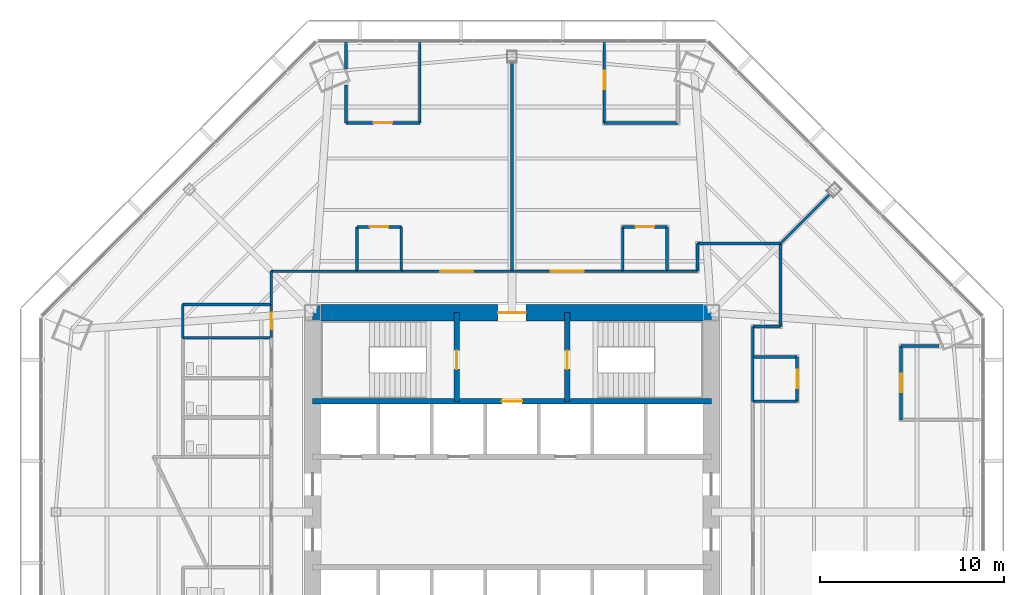
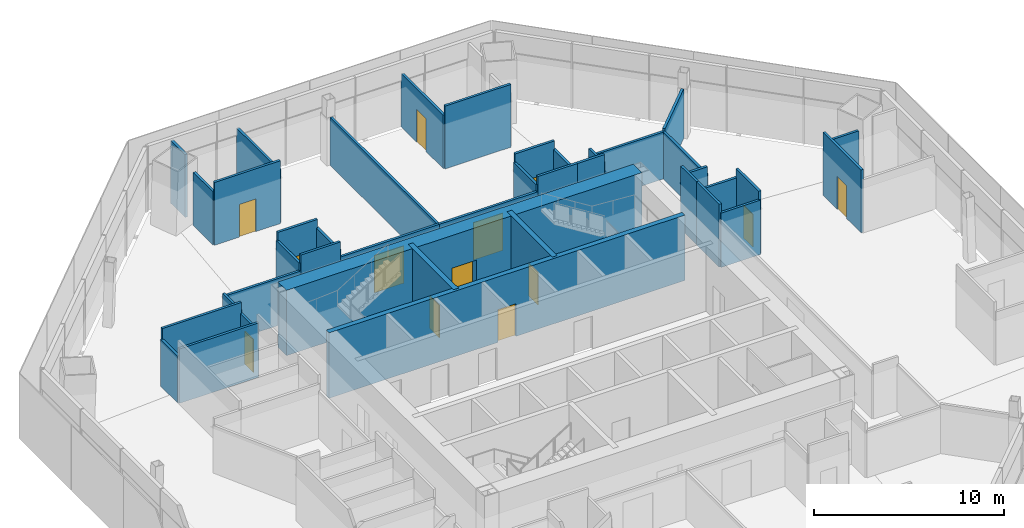
# One storey, part 12 of 17: 40 walls, 13 doors, 13 openings.
"""IFC4 building model written with IfcOpenShell, lengths in metres."""

from ifc_helpers import new_model, si_unit, direction, frame, frame_2d, origin, place, context, subcontext, project, spatial, rectangle, extrude, material, layer, layer_set, type_object, element, fill, save


model = new_model("IFC4")

# Units and contexts
model_context = context("Model", 3, precision=1e-05, world=origin(), true_north=direction((0.0, 1.0)))
body_context = subcontext(model_context, "Body", "Model", "MODEL_VIEW")
ifc_project = project(units=[si_unit("LENGTHUNIT", "METRE"), si_unit("AREAUNIT", "SQUARE_METRE"), si_unit("VOLUMEUNIT", "CUBIC_METRE"), si_unit("PLANEANGLEUNIT", "RADIAN"), si_unit("MASSUNIT", "GRAM", prefix="KILO")], contexts=[model_context])

# Site, building, storey
site_placement = place(None, origin())
site = spatial("IfcSite", under=ifc_project, at=site_placement, CompositionType="ELEMENT")
building_placement = place(site_placement, origin())
building = spatial("IfcBuilding", under=site, at=building_placement, Name="Mashrafa Tower", CompositionType="ELEMENT")
storey_placement = place(building_placement, frame((0.0, 0.0, 87.60009765625)))
storey = spatial("IfcBuildingStorey", under=building, at=storey_placement, Name="L19", CompositionType="ELEMENT", Elevation=87.60009765625)

# Wall, opening, door
ifc_material_1 = material(Name="Concrete C60/75", Category="concrete")
ifc_layer_1 = layer(ifc_material_1, 0.300048828125)
ifc_layer_set_1 = layer_set([ifc_layer_1], Name="Core wall 300 C60/75")
wall_type_1 = type_object("IfcWallType", Name="Core wall 300 C60/75", PredefinedType="SOLIDWALL", material=ifc_layer_set_1)
wall_1_placement = place(storey_placement, frame((-10.800048828125, 6.0, 0.0), z_axis=(0.0, 0.0, 1.0), x_axis=(1.0, 0.0, 0.0)))
wall_1 = element("IfcWall", 1, at=wall_1_placement, inside=storey, type_object=wall_type_1, Name="Core wall CB-N L19", PredefinedType="SOLIDWALL", context=body_context, shape_type="SweptSolid", body=[
    extrude(rectangle(XDim=21.60009765625, YDim=0.300048828125, at=frame_2d((10.800048828125, 0.0))), origin(), (0.0, 0.0, 1.0), 4.199951171875),
])
opening_1_placement = place(wall_1_placement, frame((10.25, 0.0, 0.0)))
opening_1 = element("IfcOpeningElement", 2, at=opening_1_placement, cuts=wall_1, Name="Opening 19.F1", PredefinedType="OPENING", context=body_context, shape_type="SweptSolid", body=[
    extrude(rectangle(XDim=1.10009765625, YDim=2.10009765625, at=frame_2d((0.550048828125, 1.050048828125))), frame((0.0, 0.159912109375, 0.0), z_axis=(0.0, -1.0, 0.0), x_axis=(1.0, 0.0, 0.0)), (0.0, 0.0, 1.0), 0.320068359375),
])
ifc_material_2 = material(Name="Steel door", Category="steel")
door_type_1 = type_object("IfcDoorType", Name="Lift landing door 1100 x 2100 90 min", OperationType="DOUBLE_DOOR_SLIDING", PredefinedType="DOOR", material=ifc_material_2)
door_1_placement = place(opening_1_placement, origin())
door_1 = element("IfcDoor", 3, at=door_1_placement, inside=storey, type_object=door_type_1, Name="Lift landing door F1 L19", OperationType="DOUBLE_DOOR_SLIDING", OverallHeight=2.10009765625, OverallWidth=1.10009765625, PredefinedType="DOOR", context=body_context, shape_type="SweptSolid", body=[
    extrude(rectangle(XDim=1.10009765625, YDim=2.10009765625, at=frame_2d((0.550048828125, 1.050048828125))), frame((0.0, 0.02490234375, 0.0), z_axis=(0.0, -1.0, 0.0), x_axis=(1.0, 0.0, 0.0)), (0.0, 0.0, 1.0), 0.050048828125),
])
fill(opening_1, door_1)

wall_2_placement = place(storey_placement, frame((-3.0, 6.0, 0.0), z_axis=(0.0, 0.0, 1.0), x_axis=(0.0, 1.0, 0.0)))
wall_2 = element("IfcWall", 4, at=wall_2_placement, inside=storey, type_object=wall_type_1, Name="Core wall CX-NW L19", PredefinedType="SOLIDWALL", context=body_context, shape_type="SweptSolid", body=[
    extrude(rectangle(XDim=4.800048828125, YDim=0.300048828125, at=frame_2d((2.39990234375, 0.0))), origin(), (0.0, 0.0, 1.0), 4.199951171875),
])
opening_2_placement = place(wall_2_placement, frame((1.75, 0.0, 0.0)))
opening_2 = element("IfcOpeningElement", 5, at=opening_2_placement, cuts=wall_2, Name="Opening 19.032", PredefinedType="OPENING", context=body_context, shape_type="SweptSolid", body=[
    extrude(rectangle(XDim=1.0, YDim=2.10009765625, at=frame_2d((0.5, 1.050048828125))), frame((0.0, 0.159912109375, 0.0), z_axis=(0.0, -1.0, 0.0), x_axis=(1.0, 0.0, 0.0)), (0.0, 0.0, 1.0), 0.320068359375),
])
ifc_material_3 = material(Name="Steel door", Category="steel")
door_type_2 = type_object("IfcDoorType", Name="Stair door 1000 x 2100 90 min", OperationType="USERDEFINED", PredefinedType="DOOR", material=ifc_material_3)
door_2_placement = place(opening_2_placement, origin())
door_2 = element("IfcDoor", 6, at=door_2_placement, inside=storey, type_object=door_type_2, Name="Stair S1 door L19", OperationType="SINGLE_SWING_LEFT", OverallHeight=2.10009765625, OverallWidth=1.0, PredefinedType="DOOR", context=body_context, shape_type="SweptSolid", body=[
    extrude(rectangle(XDim=1.0, YDim=2.10009765625, at=frame_2d((0.5, 1.050048828125))), frame((0.0, 0.02490234375, 0.0), z_axis=(0.0, -1.0, 0.0), x_axis=(1.0, 0.0, 0.0)), (0.0, 0.0, 1.0), 0.050048828125),
])
fill(opening_2, door_2)

wall_3_placement = place(storey_placement, frame((3.0, 6.0, 0.0), z_axis=(0.0, 0.0, 1.0), x_axis=(0.0, 1.0, 0.0)))
wall_3 = element("IfcWall", 7, at=wall_3_placement, inside=storey, type_object=wall_type_1, Name="Core wall CX-NE L19", PredefinedType="SOLIDWALL", context=body_context, shape_type="SweptSolid", body=[
    extrude(rectangle(XDim=4.800048828125, YDim=0.300048828125, at=frame_2d((2.39990234375, 0.0))), origin(), (0.0, 0.0, 1.0), 4.199951171875),
])
opening_3_placement = place(wall_3_placement, frame((1.75, 0.0, 0.0)))
opening_3 = element("IfcOpeningElement", 8, at=opening_3_placement, cuts=wall_3, Name="Opening 19.033", PredefinedType="OPENING", context=body_context, shape_type="SweptSolid", body=[
    extrude(rectangle(XDim=1.0, YDim=2.10009765625, at=frame_2d((0.5, 1.050048828125))), frame((0.0, 0.159912109375, 0.0), z_axis=(0.0, -1.0, 0.0), x_axis=(1.0, 0.0, 0.0)), (0.0, 0.0, 1.0), 0.320068359375),
])
door_3_placement = place(opening_3_placement, frame((1.0, 0.0, 0.0), z_axis=(0.0, 0.0, 1.0), x_axis=(-1.0, 0.0, 0.0)))
door_3 = element("IfcDoor", 9, at=door_3_placement, inside=storey, type_object=door_type_2, Name="Stair S2 door L19", OperationType="SINGLE_SWING_RIGHT", OverallHeight=2.10009765625, OverallWidth=1.0, PredefinedType="DOOR", context=body_context, shape_type="SweptSolid", body=[
    extrude(rectangle(XDim=1.0, YDim=2.10009765625, at=frame_2d((0.5, 1.050048828125))), frame((0.0, 0.02490234375, 0.0), z_axis=(0.0, -1.0, 0.0), x_axis=(1.0, 0.0, 0.0)), (0.0, 0.0, 1.0), 0.050048828125),
])
fill(opening_3, door_3)

ifc_material_4 = material(Name="Concrete C60/75", Category="concrete")
ifc_layer_2 = layer(ifc_material_4, 0.89990234375)
ifc_layer_set_2 = layer_set([ifc_layer_2], Name="Core wall 900 C60/75")
wall_type_2 = type_object("IfcWallType", Name="Core wall 900 C60/75", PredefinedType="SOLIDWALL", material=ifc_layer_set_2)
wall_4_placement = place(storey_placement, frame((10.800048828125, 10.800048828125, 0.0), z_axis=(0.0, 0.0, 1.0), x_axis=(-1.0, 0.0, 0.0)))
wall_4 = element("IfcWall", 10, at=wall_4_placement, inside=storey, type_object=wall_type_2, Name="Core wall CW-N L19", PredefinedType="SOLIDWALL", context=body_context, shape_type="SweptSolid", body=[
    extrude(rectangle(XDim=21.60009765625, YDim=0.89990234375, at=frame_2d((10.800048828125, 0.0))), origin(), (0.0, 0.0, 1.0), 4.199951171875),
])
opening_4_placement = place(wall_4_placement, frame((10.050048828125, 0.0, 0.0)))
opening_4 = element("IfcOpeningElement", 11, at=opening_4_placement, cuts=wall_4, Name="Opening 19.030", PredefinedType="OPENING", context=body_context, shape_type="SweptSolid", body=[
    extrude(rectangle(XDim=1.5, YDim=2.10009765625, at=frame_2d((0.75, 1.050048828125))), frame((0.0, 0.4599609375, 0.0), z_axis=(0.0, -1.0, 0.0), x_axis=(1.0, 0.0, 0.0)), (0.0, 0.0, 1.0), 0.919921875),
])
ifc_material_5 = material(Name="Steel door", Category="steel")
door_type_3 = type_object("IfcDoorType", Name="Lobby door pair 1500 x 2100 90 min", OperationType="DOUBLE_DOOR_SINGLE_SWING", PredefinedType="DOOR", material=ifc_material_5)
door_4_placement = place(opening_4_placement, origin())
door_4 = element("IfcDoor", 12, at=door_4_placement, inside=storey, type_object=door_type_3, Name="Fire-fighting lobby F1 door L19", OperationType="DOUBLE_DOOR_SINGLE_SWING", OverallHeight=2.10009765625, OverallWidth=1.5, PredefinedType="DOOR", context=body_context, shape_type="SweptSolid", body=[
    extrude(rectangle(XDim=1.5, YDim=2.10009765625, at=frame_2d((0.75, 1.050048828125))), frame((0.0, 0.02490234375, 0.0), z_axis=(0.0, -1.0, 0.0), x_axis=(1.0, 0.0, 0.0)), (0.0, 0.0, 1.0), 0.050048828125),
])
fill(opening_4, door_4)

ifc_material_6 = material(Name="Gypsum board on steel studs", Category="steel")
ifc_layer_3 = layer(ifc_material_6, 0.14990234375)
ifc_layer_set_3 = layer_set([ifc_layer_3], Name="Corridor partition 150 1 hr")
wall_type_3 = type_object("IfcWallType", Name="Corridor partition 150 1 hr", PredefinedType="PARTITIONING", material=ifc_layer_set_3)
wall_5_placement = place(storey_placement, frame((-13.050048828125, 11.2509765625, 0.0), z_axis=(0.0, 0.0, 1.0), x_axis=(0.0, -1.0, 0.0)))
wall_5 = element("IfcWall", 13, at=wall_5_placement, inside=storey, type_object=wall_type_3, Name="Corridor wall L19-004", PredefinedType="PARTITIONING", context=body_context, shape_type="SweptSolid", body=[
    extrude(rectangle(XDim=1.802001953125, YDim=0.14990234375, at=frame_2d((0.90087890625, 0.0))), origin(), (0.0, 0.0, 1.0), 3.013916015625),
])
opening_5_placement = place(wall_5_placement, frame((0.450927734375, 0.0, 0.0)))
opening_5 = element("IfcOpeningElement", 14, at=opening_5_placement, cuts=wall_5, Name="Opening 19.004", PredefinedType="OPENING", context=body_context, shape_type="SweptSolid", body=[
    extrude(rectangle(XDim=0.89990234375, YDim=2.10009765625, at=frame_2d((0.449951171875, 1.050048828125))), frame((0.0, 0.0849609375, 0.0), z_axis=(0.0, -1.0, 0.0), x_axis=(1.0, 0.0, 0.0)), (0.0, 0.0, 1.0), 0.169921875),
])
ifc_material_7 = material(Name="Timber door", Category="wood")
door_type_4 = type_object("IfcDoorType", Name="Store door 900 x 2100", OperationType="USERDEFINED", PredefinedType="DOOR", material=ifc_material_7)
door_5_placement = place(opening_5_placement, frame((0.89990234375, 0.0, 0.0), z_axis=(0.0, 0.0, 1.0), x_axis=(-1.0, 0.0, 0.0)))
door_5 = element("IfcDoor", 15, at=door_5_placement, inside=storey, type_object=door_type_4, Name="Cleaner's Store L19 N door", OperationType="SINGLE_SWING_LEFT", OverallHeight=2.10009765625, OverallWidth=0.89990234375, PredefinedType="DOOR", context=body_context, shape_type="SweptSolid", body=[
    extrude(rectangle(XDim=0.89990234375, YDim=2.10009765625, at=frame_2d((0.449951171875, 1.050048828125))), frame((0.0, 0.02490234375, 0.0), z_axis=(0.0, -1.0, 0.0), x_axis=(1.0, 0.0, 0.0)), (0.0, 0.0, 1.0), 0.050048828125),
])
fill(opening_5, door_5)

# Walls
for number, where, z_axis, x_axis, name in (
    (16, (8.40087890625, 13.050048828125, 0.0), (0.0, 0.0, 1.0), (-1.0, 0.0, 0.0), "Corridor wall L19-010"),
    (17, (-5.9990234375, 13.050048828125, 0.0), (0.0, 0.0, 1.0), (-1.0, 0.0, 0.0), "Corridor wall L19-011"),
    (18, (13.050048828125, 5.9990234375, 0.0), (0.0, 0.0, 1.0), (0.0, 1.0, 0.0), "Corridor wall L19-012"),
):
    element("IfcWall", number, at=place(storey_placement, frame(where, z_axis=z_axis, x_axis=x_axis)), inside=storey, type_object=wall_type_3, Name=name, PredefinedType="PARTITIONING", context=body_context, shape_type="SweptSolid", body=[
        extrude(rectangle(XDim=2.40185546875, YDim=0.14990234375, at=frame_2d((1.200927734375, 0.0))), origin(), (0.0, 0.0, 1.0), 4.034912109375),
    ])

# Wall, opening, door
wall_6_placement = place(storey_placement, frame((6.0009765625, 13.050048828125, 0.0), z_axis=(0.0, 0.0, 1.0), x_axis=(-1.0, 0.0, 0.0)))
wall_6 = element("IfcWall", 19, at=wall_6_placement, inside=storey, type_object=wall_type_3, Name="Corridor wall L19-015", PredefinedType="PARTITIONING", context=body_context, shape_type="SweptSolid", body=[
    extrude(rectangle(XDim=6.001953125, YDim=0.14990234375, at=frame_2d((3.0009765625, 0.0))), origin(), (0.0, 0.0, 1.0), 3.064697265625),
])
opening_6_placement = place(wall_6_placement, frame((2.10107421875, 0.0, 0.0)))
opening_6 = element("IfcOpeningElement", 20, at=opening_6_placement, cuts=wall_6, Name="Opening 19.021", PredefinedType="OPENING", context=body_context, shape_type="SweptSolid", body=[
    extrude(rectangle(XDim=1.800048828125, YDim=2.39990234375, at=frame_2d((0.89990234375, 1.199951171875))), frame((0.0, 0.0849609375, 0.0), z_axis=(0.0, -1.0, 0.0), x_axis=(1.0, 0.0, 0.0)), (0.0, 0.0, 1.0), 0.169921875),
])
ifc_material_8 = material(Name="Timber door", Category="wood")
door_type_5 = type_object("IfcDoorType", Name="Door pair 1800 x 2400", OperationType="DOUBLE_DOOR_SINGLE_SWING", PredefinedType="DOOR", material=ifc_material_8)
door_6_placement = place(opening_6_placement, frame((1.800048828125, 0.0, 0.0), z_axis=(0.0, 0.0, 1.0), x_axis=(-1.0, 0.0, 0.0)))
door_6 = element("IfcDoor", 21, at=door_6_placement, inside=storey, type_object=door_type_5, Name="Office Suite 19-NE door", OperationType="DOUBLE_DOOR_SINGLE_SWING", OverallHeight=2.39990234375, OverallWidth=1.800048828125, PredefinedType="DOOR", context=body_context, shape_type="SweptSolid", body=[
    extrude(rectangle(XDim=1.800048828125, YDim=2.39990234375, at=frame_2d((0.89990234375, 1.199951171875))), frame((0.0, 0.02490234375, 0.0), z_axis=(0.0, -1.0, 0.0), x_axis=(1.0, 0.0, 0.0)), (0.0, 0.0, 1.0), 0.050048828125),
])
fill(opening_6, door_6)

# Walls
wall_7_placement = place(storey_placement, frame((14.550048828125, 14.550048828125, 0.0), z_axis=(0.0, 0.0, 1.0), x_axis=(-1.0, 0.0, 0.0)))
element("IfcWall", 22, at=wall_7_placement, inside=storey, type_object=wall_type_3, Name="Corridor wall L19-016", PredefinedType="PARTITIONING", context=body_context, shape_type="SweptSolid", body=[
    extrude(rectangle(XDim=4.5, YDim=0.14990234375, at=frame_2d((2.25, 0.0))), origin(), (0.0, 0.0, 1.0), 3.013916015625),
])
wall_8_placement = place(storey_placement, frame((10.050048828125, 14.550048828125, 0.0), z_axis=(0.0, 0.0, 1.0), x_axis=(0.0, -1.0, 0.0)))
element("IfcWall", 23, at=wall_8_placement, inside=storey, type_object=wall_type_3, Name="Corridor wall L19-017", PredefinedType="PARTITIONING", context=body_context, shape_type="SweptSolid", body=[
    extrude(rectangle(XDim=1.5, YDim=0.14990234375, at=frame_2d((0.75, 0.0))), origin(), (0.0, 0.0, 1.0), 3.491455078125),
])
wall_9_placement = place(storey_placement, frame((10.050048828125, 13.050048828125, 0.0), z_axis=(0.0, 0.0, 1.0), x_axis=(-1.0, 0.0, 0.0)))
element("IfcWall", 24, at=wall_9_placement, inside=storey, type_object=wall_type_3, Name="Corridor wall L19-018", PredefinedType="PARTITIONING", context=body_context, shape_type="SweptSolid", body=[
    extrude(rectangle(XDim=1.651123046875, YDim=0.14990234375, at=frame_2d((0.82568359375, 0.0))), origin(), (0.0, 0.0, 1.0), 4.034912109375),
])
wall_10_placement = place(storey_placement, frame((-8.39892578125, 13.050048828125, 0.0), z_axis=(0.0, 0.0, 1.0), x_axis=(-1.0, 0.0, 0.0)))
element("IfcWall", 25, at=wall_10_placement, inside=storey, type_object=wall_type_3, Name="Corridor wall L19-020", PredefinedType="PARTITIONING", context=body_context, shape_type="SweptSolid", body=[
    extrude(rectangle(XDim=4.651123046875, YDim=0.14990234375, at=frame_2d((2.32568359375, 0.0))), origin(), (0.0, 0.0, 1.0), 3.013916015625),
])
wall_11_placement = place(storey_placement, frame((-13.050048828125, 13.050048828125, 0.0), z_axis=(0.0, 0.0, 1.0), x_axis=(0.0, -1.0, 0.0)))
element("IfcWall", 26, at=wall_11_placement, inside=storey, type_object=wall_type_3, Name="Corridor wall L19-021", PredefinedType="PARTITIONING", context=body_context, shape_type="SweptSolid", body=[
    extrude(rectangle(XDim=1.801025390625, YDim=0.14990234375, at=frame_2d((0.900390625, 0.0))), origin(), (0.0, 0.0, 1.0), 3.17919921875),
])

# Wall, opening, door
wall_12_placement = place(storey_placement, frame((0.0009765625, 13.050048828125, 0.0), z_axis=(0.0, 0.0, 1.0), x_axis=(-1.0, 0.0, 0.0)))
wall_12 = element("IfcWall", 27, at=wall_12_placement, inside=storey, type_object=wall_type_3, Name="Corridor wall L19-022", PredefinedType="PARTITIONING", context=body_context, shape_type="SweptSolid", body=[
    extrude(rectangle(XDim=6.001953125, YDim=0.14990234375, at=frame_2d((3.0009765625, 0.0))), origin(), (0.0, 0.0, 1.0), 3.064697265625),
])
opening_7_placement = place(wall_12_placement, frame((2.10107421875, 0.0, 0.0)))
opening_7 = element("IfcOpeningElement", 28, at=opening_7_placement, cuts=wall_12, Name="Opening 19.022", PredefinedType="OPENING", context=body_context, shape_type="SweptSolid", body=[
    extrude(rectangle(XDim=1.800048828125, YDim=2.39990234375, at=frame_2d((0.89990234375, 1.199951171875))), frame((0.0, 0.0849609375, 0.0), z_axis=(0.0, -1.0, 0.0), x_axis=(1.0, 0.0, 0.0)), (0.0, 0.0, 1.0), 0.169921875),
])
door_7_placement = place(opening_7_placement, frame((1.800048828125, 0.0, 0.0), z_axis=(0.0, 0.0, 1.0), x_axis=(-1.0, 0.0, 0.0)))
door_7 = element("IfcDoor", 29, at=door_7_placement, inside=storey, type_object=door_type_5, Name="Office Suite 19-NW door", OperationType="DOUBLE_DOOR_SINGLE_SWING", OverallHeight=2.39990234375, OverallWidth=1.800048828125, PredefinedType="DOOR", context=body_context, shape_type="SweptSolid", body=[
    extrude(rectangle(XDim=1.800048828125, YDim=2.39990234375, at=frame_2d((0.89990234375, 1.199951171875))), frame((0.0, 0.02490234375, 0.0), z_axis=(0.0, -1.0, 0.0), x_axis=(1.0, 0.0, 0.0)), (0.0, 0.0, 1.0), 0.050048828125),
])
fill(opening_7, door_7)

# Walls
wall_13_placement = place(storey_placement, frame((13.050048828125, 8.39892578125, 0.0), z_axis=(0.0, 0.0, 1.0), x_axis=(0.0, 1.0, 0.0)))
element("IfcWall", 30, at=wall_13_placement, inside=storey, type_object=wall_type_3, Name="Corridor wall L19-026", PredefinedType="PARTITIONING", context=body_context, shape_type="SweptSolid", body=[
    extrude(rectangle(XDim=1.651123046875, YDim=0.14990234375, at=frame_2d((0.82568359375, 0.0))), origin(), (0.0, 0.0, 1.0), 4.034912109375),
])
wall_14_placement = place(storey_placement, frame((13.050048828125, 10.050048828125, 0.0), z_axis=(0.0, 0.0, 1.0), x_axis=(1.0, 0.0, 0.0)))
element("IfcWall", 31, at=wall_14_placement, inside=storey, type_object=wall_type_3, Name="Corridor wall L19-027", PredefinedType="PARTITIONING", context=body_context, shape_type="SweptSolid", body=[
    extrude(rectangle(XDim=1.5, YDim=0.14990234375, at=frame_2d((0.75, 0.0))), origin(), (0.0, 0.0, 1.0), 3.491455078125),
])
wall_15_placement = place(storey_placement, frame((14.550048828125, 10.050048828125, 0.0), z_axis=(0.0, 0.0, 1.0), x_axis=(0.0, 1.0, 0.0)))
element("IfcWall", 32, at=wall_15_placement, inside=storey, type_object=wall_type_3, Name="Corridor wall L19-028", PredefinedType="PARTITIONING", context=body_context, shape_type="SweptSolid", body=[
    extrude(rectangle(XDim=4.5, YDim=0.14990234375, at=frame_2d((2.25, 0.0))), origin(), (0.0, 0.0, 1.0), 3.013916015625),
])
ifc_material_9 = material(Name="Gypsum board on steel studs", Category="steel")
ifc_layer_4 = layer(ifc_material_9, 0.14990234375)
ifc_layer_set_4 = layer_set([ifc_layer_4], Name="Partition 150")
wall_type_4 = type_object("IfcWallType", Name="Partition 150", PredefinedType="PARTITIONING", material=ifc_layer_set_4)
wall_16_placement = place(storey_placement, frame((-13.050048828125, 9.449951171875, 0.0), z_axis=(0.0, 0.0, 1.0), x_axis=(-1.0, 0.0, 0.0)))
element("IfcWall", 33, at=wall_16_placement, inside=storey, type_object=wall_type_4, Name="Partition wall L19-040", PredefinedType="PARTITIONING", context=body_context, shape_type="SweptSolid", body=[
    extrude(rectangle(XDim=4.800048828125, YDim=0.14990234375, at=frame_2d((2.39990234375, 0.0))), origin(), (0.0, 0.0, 1.0), 3.491455078125),
])
wall_17_placement = place(storey_placement, frame((-13.050048828125, 11.25, 0.0), z_axis=(0.0, 0.0, 1.0), x_axis=(-1.0, 0.0, 0.0)))
element("IfcWall", 34, at=wall_17_placement, inside=storey, type_object=wall_type_4, Name="Partition wall L19-042", PredefinedType="PARTITIONING", context=body_context, shape_type="SweptSolid", body=[
    extrude(rectangle(XDim=4.800048828125, YDim=0.14990234375, at=frame_2d((2.39990234375, 0.0))), origin(), (0.0, 0.0, 1.0), 3.715087890625),
])
wall_18_placement = place(storey_placement, frame((-17.85009765625, 11.25, 0.0), z_axis=(0.0, 0.0, 1.0), x_axis=(0.0, -1.0, 0.0)))
element("IfcWall", 35, at=wall_18_placement, inside=storey, type_object=wall_type_4, Name="Partition wall L19-043", PredefinedType="PARTITIONING", context=body_context, shape_type="SweptSolid", body=[
    extrude(rectangle(XDim=1.800048828125, YDim=0.14990234375, at=frame_2d((0.89990234375, 0.0))), origin(), (0.0, 0.0, 1.0), 3.013916015625),
])

# Wall, opening, door
wall_19_placement = place(storey_placement, frame((5.0, 25.5205078125, 0.0), z_axis=(0.0, 0.0, 1.0), x_axis=(0.0, -1.0, 0.0)))
wall_19 = element("IfcWall", 36, at=wall_19_placement, inside=storey, type_object=wall_type_4, Name="Partition wall L19-056", PredefinedType="PARTITIONING", context=body_context, shape_type="SweptSolid", body=[
    extrude(rectangle(XDim=4.433837890625, YDim=0.14990234375, at=frame_2d((2.216796875, 0.0))), origin(), (0.0, 0.0, 1.0), 3.4228515625),
])
opening_8_placement = place(wall_19_placement, frame((1.59912109375, 0.0, 0.0)))
opening_8 = element("IfcOpeningElement", 37, at=opening_8_placement, cuts=wall_19, Name="Opening 19.010", PredefinedType="OPENING", context=body_context, shape_type="SweptSolid", body=[
    extrude(rectangle(XDim=1.0, YDim=2.10009765625, at=frame_2d((0.5, 1.050048828125))), frame((0.0, 0.0849609375, 0.0), z_axis=(0.0, -1.0, 0.0), x_axis=(1.0, 0.0, 0.0)), (0.0, 0.0, 1.0), 0.169921875),
])
ifc_material_10 = material(Name="Timber door", Category="wood")
door_type_6 = type_object("IfcDoorType", Name="Door 1000 x 2100", OperationType="USERDEFINED", PredefinedType="DOOR", material=ifc_material_10)
door_8_placement = place(opening_8_placement, origin())
door_8 = element("IfcDoor", 38, at=door_8_placement, inside=storey, type_object=door_type_6, Name="Manager's Office 19-NE door", OperationType="SINGLE_SWING_LEFT", OverallHeight=2.10009765625, OverallWidth=1.0, PredefinedType="DOOR", context=body_context, shape_type="SweptSolid", body=[
    extrude(rectangle(XDim=1.0, YDim=2.10009765625, at=frame_2d((0.5, 1.050048828125))), frame((0.0, 0.02490234375, 0.0), z_axis=(0.0, -1.0, 0.0), x_axis=(1.0, 0.0, 0.0)), (0.0, 0.0, 1.0), 0.050048828125),
])
fill(opening_8, door_8)

# Walls
wall_20_placement = place(storey_placement, frame((5.0, 21.086669921875, 0.0), z_axis=(0.0, 0.0, 1.0), x_axis=(1.0, 0.0, 0.0)))
element("IfcWall", 39, at=wall_20_placement, inside=storey, type_object=wall_type_4, Name="Partition wall L19-057", PredefinedType="PARTITIONING", context=body_context, shape_type="SweptSolid", body=[
    extrude(rectangle(XDim=4.0, YDim=0.14990234375, at=frame_2d((2.0, 0.0))), origin(), (0.0, 0.0, 1.0), 4.034912109375),
])
wall_21_placement = place(storey_placement, frame((8.39990234375, 13.050048828125, 0.0), z_axis=(0.0, 0.0, 1.0), x_axis=(0.0, 1.0, 0.0)))
element("IfcWall", 40, at=wall_21_placement, inside=storey, type_object=wall_type_4, Name="Partition wall L19-060", PredefinedType="PARTITIONING", context=body_context, shape_type="SweptSolid", body=[
    extrude(rectangle(XDim=2.39990234375, YDim=0.14990234375, at=frame_2d((1.199951171875, 0.0))), origin(), (0.0, 0.0, 1.0), 3.491455078125),
])

# Wall, opening, door
wall_22_placement = place(storey_placement, frame((8.39990234375, 15.449951171875, 0.0), z_axis=(0.0, 0.0, 1.0), x_axis=(-1.0, 0.0, 0.0)))
wall_22 = element("IfcWall", 41, at=wall_22_placement, inside=storey, type_object=wall_type_4, Name="Partition wall L19-061", PredefinedType="PARTITIONING", context=body_context, shape_type="SweptSolid", body=[
    extrude(rectangle(XDim=2.39990234375, YDim=0.14990234375, at=frame_2d((1.199951171875, 0.0))), origin(), (0.0, 0.0, 1.0), 4.034912109375),
])
opening_9_placement = place(wall_22_placement, frame((0.699951171875, 0.0, 0.0)))
opening_9 = element("IfcOpeningElement", 42, at=opening_9_placement, cuts=wall_22, Name="Opening 19.011", PredefinedType="OPENING", context=body_context, shape_type="SweptSolid", body=[
    extrude(rectangle(XDim=1.0, YDim=2.10009765625, at=frame_2d((0.5, 1.050048828125))), frame((0.0, 0.0849609375, 0.0), z_axis=(0.0, -1.0, 0.0), x_axis=(1.0, 0.0, 0.0)), (0.0, 0.0, 1.0), 0.169921875),
])
door_9_placement = place(opening_9_placement, origin())
door_9 = element("IfcDoor", 43, at=door_9_placement, inside=storey, type_object=door_type_6, Name="Kitchenette 19-NE door", OperationType="SINGLE_SWING_LEFT", OverallHeight=2.10009765625, OverallWidth=1.0, PredefinedType="DOOR", context=body_context, shape_type="SweptSolid", body=[
    extrude(rectangle(XDim=1.0, YDim=2.10009765625, at=frame_2d((0.5, 1.050048828125))), frame((0.0, 0.02490234375, 0.0), z_axis=(0.0, -1.0, 0.0), x_axis=(1.0, 0.0, 0.0)), (0.0, 0.0, 1.0), 0.050048828125),
])
fill(opening_9, door_9)

# Walls
wall_23_placement = place(storey_placement, frame((6.0, 15.449951171875, 0.0), z_axis=(0.0, 0.0, 1.0), x_axis=(0.0, -1.0, 0.0)))
element("IfcWall", 44, at=wall_23_placement, inside=storey, type_object=wall_type_4, Name="Partition wall L19-062", PredefinedType="PARTITIONING", context=body_context, shape_type="SweptSolid", body=[
    extrude(rectangle(XDim=2.39990234375, YDim=0.14990234375, at=frame_2d((1.199951171875, 0.0))), origin(), (0.0, 0.0, 1.0), 3.491455078125),
])
wall_24_placement = place(storey_placement, frame((-9.0, 25.5185546875, 0.0), z_axis=(0.0, 0.0, 1.0), x_axis=(0.0, -1.0, 0.0)))
element("IfcWall", 45, at=wall_24_placement, inside=storey, type_object=wall_type_4, Name="Partition wall L19-063", PredefinedType="PARTITIONING", context=body_context, shape_type="SweptSolid", body=[
    extrude(rectangle(XDim=1.519775390625, YDim=0.14990234375, at=frame_2d((0.759765625, 0.0))), origin(), (0.0, 0.0, 1.0), 4.034912109375),
])
wall_25_placement = place(storey_placement, frame((-9.0, 23.143798828125, 0.0), z_axis=(0.0, 0.0, 1.0), x_axis=(0.0, -1.0, 0.0)))
element("IfcWall", 46, at=wall_25_placement, inside=storey, type_object=wall_type_4, Name="Partition wall L19-064", PredefinedType="PARTITIONING", context=body_context, shape_type="SweptSolid", body=[
    extrude(rectangle(XDim=2.05712890625, YDim=0.14990234375, at=frame_2d((1.028564453125, 0.0))), origin(), (0.0, 0.0, 1.0), 3.4228515625),
])

# Wall, opening, door
wall_26_placement = place(storey_placement, frame((-9.0, 21.086669921875, 0.0), z_axis=(0.0, 0.0, 1.0), x_axis=(1.0, 0.0, 0.0)))
wall_26 = element("IfcWall", 47, at=wall_26_placement, inside=storey, type_object=wall_type_4, Name="Partition wall L19-065", PredefinedType="PARTITIONING", context=body_context, shape_type="SweptSolid", body=[
    extrude(rectangle(XDim=4.0, YDim=0.14990234375, at=frame_2d((2.0, 0.0))), origin(), (0.0, 0.0, 1.0), 4.034912109375),
])
opening_10_placement = place(wall_26_placement, frame((1.5, 0.0, 0.0)))
opening_10 = element("IfcOpeningElement", 48, at=opening_10_placement, cuts=wall_26, Name="Opening 19.012", PredefinedType="OPENING", context=body_context, shape_type="SweptSolid", body=[
    extrude(rectangle(XDim=1.0, YDim=2.10009765625, at=frame_2d((0.5, 1.050048828125))), frame((0.0, 0.0849609375, 0.0), z_axis=(0.0, -1.0, 0.0), x_axis=(1.0, 0.0, 0.0)), (0.0, 0.0, 1.0), 0.169921875),
])
door_10_placement = place(opening_10_placement, origin())
door_10 = element("IfcDoor", 49, at=door_10_placement, inside=storey, type_object=door_type_6, Name="Manager's Office 19-NW door", OperationType="SINGLE_SWING_LEFT", OverallHeight=2.10009765625, OverallWidth=1.0, PredefinedType="DOOR", context=body_context, shape_type="SweptSolid", body=[
    extrude(rectangle(XDim=1.0, YDim=2.10009765625, at=frame_2d((0.5, 1.050048828125))), frame((0.0, 0.02490234375, 0.0), z_axis=(0.0, -1.0, 0.0), x_axis=(1.0, 0.0, 0.0)), (0.0, 0.0, 1.0), 0.050048828125),
])
fill(opening_10, door_10)

# Walls
wall_27_placement = place(storey_placement, frame((-5.0, 21.086669921875, 0.0), z_axis=(0.0, 0.0, 1.0), x_axis=(0.0, 1.0, 0.0)))
element("IfcWall", 50, at=wall_27_placement, inside=storey, type_object=wall_type_4, Name="Partition wall L19-066", PredefinedType="PARTITIONING", context=body_context, shape_type="SweptSolid", body=[
    extrude(rectangle(XDim=4.431884765625, YDim=0.14990234375, at=frame_2d((2.2158203125, 0.0))), origin(), (0.0, 0.0, 1.0), 3.4228515625),
])
wall_28_placement = place(storey_placement, frame((-6.0, 13.050048828125, 0.0), z_axis=(0.0, 0.0, 1.0), x_axis=(0.0, 1.0, 0.0)))
element("IfcWall", 51, at=wall_28_placement, inside=storey, type_object=wall_type_4, Name="Partition wall L19-067", PredefinedType="PARTITIONING", context=body_context, shape_type="SweptSolid", body=[
    extrude(rectangle(XDim=2.39990234375, YDim=0.14990234375, at=frame_2d((1.199951171875, 0.0))), origin(), (0.0, 0.0, 1.0), 3.491455078125),
])

# Wall, opening, door
wall_29_placement = place(storey_placement, frame((-6.0, 15.449951171875, 0.0), z_axis=(0.0, 0.0, 1.0), x_axis=(-1.0, 0.0, 0.0)))
wall_29 = element("IfcWall", 52, at=wall_29_placement, inside=storey, type_object=wall_type_4, Name="Partition wall L19-068", PredefinedType="PARTITIONING", context=body_context, shape_type="SweptSolid", body=[
    extrude(rectangle(XDim=2.39990234375, YDim=0.14990234375, at=frame_2d((1.199951171875, 0.0))), origin(), (0.0, 0.0, 1.0), 4.034912109375),
])
opening_11_placement = place(wall_29_placement, frame((0.699951171875, 0.0, 0.0)))
opening_11 = element("IfcOpeningElement", 53, at=opening_11_placement, cuts=wall_29, Name="Opening 19.013", PredefinedType="OPENING", context=body_context, shape_type="SweptSolid", body=[
    extrude(rectangle(XDim=1.0, YDim=2.10009765625, at=frame_2d((0.5, 1.050048828125))), frame((0.0, 0.0849609375, 0.0), z_axis=(0.0, -1.0, 0.0), x_axis=(1.0, 0.0, 0.0)), (0.0, 0.0, 1.0), 0.169921875),
])
door_11_placement = place(opening_11_placement, origin())
door_11 = element("IfcDoor", 54, at=door_11_placement, inside=storey, type_object=door_type_6, Name="Kitchenette 19-NW door", OperationType="SINGLE_SWING_LEFT", OverallHeight=2.10009765625, OverallWidth=1.0, PredefinedType="DOOR", context=body_context, shape_type="SweptSolid", body=[
    extrude(rectangle(XDim=1.0, YDim=2.10009765625, at=frame_2d((0.5, 1.050048828125))), frame((0.0, 0.02490234375, 0.0), z_axis=(0.0, -1.0, 0.0), x_axis=(1.0, 0.0, 0.0)), (0.0, 0.0, 1.0), 0.050048828125),
])
fill(opening_11, door_11)

# Walls
for number, where, z_axis, x_axis, name in (
    (55, (-8.39990234375, 15.449951171875, 0.0), (0.0, 0.0, 1.0), (0.0, -1.0, 0.0), "Partition wall L19-069"),
    (56, (13.050048828125, 6.0, 0.0), (0.0, 0.0, 1.0), (1.0, 0.0, 0.0), "Partition wall L19-074"),
):
    element("IfcWall", number, at=place(storey_placement, frame(where, z_axis=z_axis, x_axis=x_axis)), inside=storey, type_object=wall_type_4, Name=name, PredefinedType="PARTITIONING", context=body_context, shape_type="SweptSolid", body=[
        extrude(rectangle(XDim=2.39990234375, YDim=0.14990234375, at=frame_2d((1.199951171875, 0.0))), origin(), (0.0, 0.0, 1.0), 3.491455078125),
    ])

# Wall, opening, door
wall_30_placement = place(storey_placement, frame((15.449951171875, 6.0, 0.0), z_axis=(0.0, 0.0, 1.0), x_axis=(0.0, 1.0, 0.0)))
wall_30 = element("IfcWall", 57, at=wall_30_placement, inside=storey, type_object=wall_type_4, Name="Partition wall L19-075", PredefinedType="PARTITIONING", context=body_context, shape_type="SweptSolid", body=[
    extrude(rectangle(XDim=2.39990234375, YDim=0.14990234375, at=frame_2d((1.199951171875, 0.0))), origin(), (0.0, 0.0, 1.0), 4.034912109375),
])
opening_12_placement = place(wall_30_placement, frame((0.699951171875, 0.0, 0.0)))
opening_12 = element("IfcOpeningElement", 58, at=opening_12_placement, cuts=wall_30, Name="Opening 19.015", PredefinedType="OPENING", context=body_context, shape_type="SweptSolid", body=[
    extrude(rectangle(XDim=1.0, YDim=2.10009765625, at=frame_2d((0.5, 1.050048828125))), frame((0.0, 0.0849609375, 0.0), z_axis=(0.0, -1.0, 0.0), x_axis=(1.0, 0.0, 0.0)), (0.0, 0.0, 1.0), 0.169921875),
])
door_12_placement = place(opening_12_placement, origin())
door_12 = element("IfcDoor", 59, at=door_12_placement, inside=storey, type_object=door_type_6, Name="Kitchenette 19-E door", OperationType="SINGLE_SWING_LEFT", OverallHeight=2.10009765625, OverallWidth=1.0, PredefinedType="DOOR", context=body_context, shape_type="SweptSolid", body=[
    extrude(rectangle(XDim=1.0, YDim=2.10009765625, at=frame_2d((0.5, 1.050048828125))), frame((0.0, 0.02490234375, 0.0), z_axis=(0.0, -1.0, 0.0), x_axis=(1.0, 0.0, 0.0)), (0.0, 0.0, 1.0), 0.050048828125),
])
fill(opening_12, door_12)

# Walls
wall_31_placement = place(storey_placement, frame((15.449951171875, 8.39990234375, 0.0), z_axis=(0.0, 0.0, 1.0), x_axis=(-1.0, 0.0, 0.0)))
element("IfcWall", 60, at=wall_31_placement, inside=storey, type_object=wall_type_4, Name="Partition wall L19-076", PredefinedType="PARTITIONING", context=body_context, shape_type="SweptSolid", body=[
    extrude(rectangle(XDim=2.39990234375, YDim=0.14990234375, at=frame_2d((1.199951171875, 0.0))), origin(), (0.0, 0.0, 1.0), 3.491455078125),
])
wall_32_placement = place(storey_placement, frame((23.143798828125, 9.0, 0.0), z_axis=(0.0, 0.0, 1.0), x_axis=(-1.0, 0.0, 0.0)))
element("IfcWall", 61, at=wall_32_placement, inside=storey, type_object=wall_type_4, Name="Partition wall L19-092", PredefinedType="PARTITIONING", context=body_context, shape_type="SweptSolid", body=[
    extrude(rectangle(XDim=2.05712890625, YDim=0.14990234375, at=frame_2d((1.028564453125, 0.0))), origin(), (0.0, 0.0, 1.0), 3.4228515625),
])

# Wall, opening, door
wall_33_placement = place(storey_placement, frame((21.086669921875, 9.0, 0.0), z_axis=(0.0, 0.0, 1.0), x_axis=(0.0, -1.0, 0.0)))
wall_33 = element("IfcWall", 62, at=wall_33_placement, inside=storey, type_object=wall_type_4, Name="Partition wall L19-093", PredefinedType="PARTITIONING", context=body_context, shape_type="SweptSolid", body=[
    extrude(rectangle(XDim=4.0, YDim=0.14990234375, at=frame_2d((2.0, 0.0))), origin(), (0.0, 0.0, 1.0), 4.034912109375),
])
opening_13_placement = place(wall_33_placement, frame((1.5, 0.0, 0.0)))
opening_13 = element("IfcOpeningElement", 63, at=opening_13_placement, cuts=wall_33, Name="Opening 19.020", PredefinedType="OPENING", context=body_context, shape_type="SweptSolid", body=[
    extrude(rectangle(XDim=1.0, YDim=2.10009765625, at=frame_2d((0.5, 1.050048828125))), frame((0.0, 0.0849609375, 0.0), z_axis=(0.0, -1.0, 0.0), x_axis=(1.0, 0.0, 0.0)), (0.0, 0.0, 1.0), 0.169921875),
])
door_13_placement = place(opening_13_placement, origin())
door_13 = element("IfcDoor", 64, at=door_13_placement, inside=storey, type_object=door_type_6, Name="Meeting Room 19-E door", OperationType="SINGLE_SWING_LEFT", OverallHeight=2.10009765625, OverallWidth=1.0, PredefinedType="DOOR", context=body_context, shape_type="SweptSolid", body=[
    extrude(rectangle(XDim=1.0, YDim=2.10009765625, at=frame_2d((0.5, 1.050048828125))), frame((0.0, 0.02490234375, 0.0), z_axis=(0.0, -1.0, 0.0), x_axis=(1.0, 0.0, 0.0)), (0.0, 0.0, 1.0), 0.050048828125),
])
fill(opening_13, door_13)

# Walls
wall_34_placement = place(storey_placement, frame((0.0, 24.3486328125, 0.0), z_axis=(0.0, 0.0, 1.0), x_axis=(0.0, -1.0, 0.0)))
element("IfcWall", 65, at=wall_34_placement, inside=storey, type_object=wall_type_4, Name="Partition wall L19-095", PredefinedType="PARTITIONING", context=body_context, shape_type="SweptSolid", body=[
    extrude(rectangle(XDim=11.298583984375, YDim=0.14990234375, at=frame_2d((5.6494140625, 0.0))), origin(), (0.0, 0.0, 1.0), 3.064697265625),
])
wall_35_placement = place(storey_placement, frame((14.550048828125, 14.550048828125, 0.0), z_axis=(0.0, 0.0, 1.0), x_axis=(0.707106781187, 0.707106781187, 0.0)))
element("IfcWall", 66, at=wall_35_placement, inside=storey, type_object=wall_type_4, Name="Partition wall L19-096", PredefinedType="PARTITIONING", context=body_context, shape_type="SweptSolid", body=[
    extrude(rectangle(XDim=3.771728515625, YDim=0.14990234375, at=frame_2d((1.8857421875, 0.0))), origin(), (0.0, 0.0, 1.0), 3.17919921875),
])

save(model, "model.ifc")
